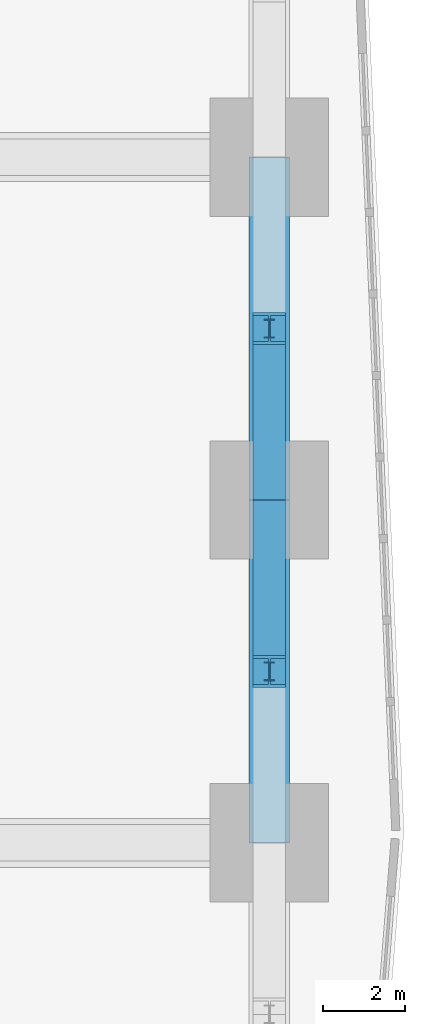
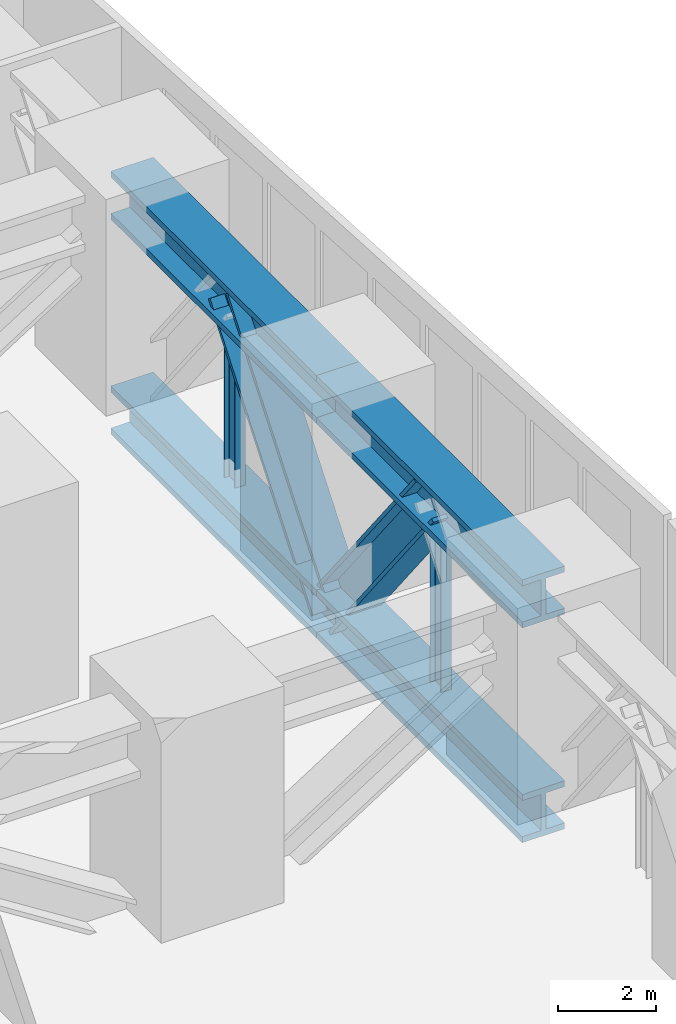
# One storey, part 5 of 16: 8 members.
"""IFC4 building model written with IfcOpenShell, lengths in metres."""

from ifc_helpers import new_model, si_unit, direction, frame, origin, origin_2d, place, context, subcontext, project, spatial, i_section, extrude, material, material_profile, profile_set, type_object, element, save


model = new_model("IFC4")

# Units and contexts
model_context = context("Model", 3, precision=1e-05, world=origin(), true_north=direction((0.0, 1.0)))
body_context = subcontext(model_context, "Body", "Model", "MODEL_VIEW")
ifc_project = project(units=[si_unit("LENGTHUNIT", "METRE"), si_unit("AREAUNIT", "SQUARE_METRE"), si_unit("VOLUMEUNIT", "CUBIC_METRE"), si_unit("PLANEANGLEUNIT", "RADIAN"), si_unit("MASSUNIT", "GRAM", prefix="KILO")], contexts=[model_context])

# Site, building, storey
site_placement = place(None, origin())
site = spatial("IfcSite", under=ifc_project, at=site_placement, CompositionType="ELEMENT")
building_placement = place(site_placement, origin())
building = spatial("IfcBuilding", under=site, at=building_placement, Name="Rekha Terrace Tower", CompositionType="ELEMENT")
storey_placement = place(building_placement, frame((0.0, 0.0, 85.39990234375)))
storey = spatial("IfcBuildingStorey", under=building, at=storey_placement, Name="L21", CompositionType="ELEMENT", Elevation=85.39990234375)

# Members
ifc_material = material(Name="Steel E350", Category="steel")
ifc_material_profile_1 = material_profile(ifc_material, i_section(OverallWidth=1.0, OverallDepth=1.199951171875, WebThickness=0.110107421875, FlangeThickness=0.14990234375, at=origin_2d()), Name="BU 1200x1000x110x150")
ifc_profile_set_1 = profile_set([ifc_material_profile_1], Name="Steel E350")
member_type_1 = type_object("IfcMemberType", Name="BC21 BU 1200x1000x110x150 belt truss chord", PredefinedType="CHORD", material=ifc_profile_set_1)
for number, where, z_axis, x_axis, name in (
    (1, (67.199951171875, 25.199951171875, 4.300048828125), (0.0, 1.0, 0.0), (-1.0, 0.0, 0.0), "Belt top chord 9D-9E L21"),
    (2, (67.199951171875, 25.199951171875, -1.0498046875), (0.0, 1.0, 0.0), (-1.0, 0.0, 0.0), "Belt bottom chord 9D-9E L21"),
):
    element("IfcMember", number, at=place(storey_placement, frame(where, z_axis=z_axis, x_axis=x_axis)), inside=storey, type_object=member_type_1, Name=name, PredefinedType="CHORD", context=body_context, shape_type="SweptSolid", body=[
        extrude(i_section(OverallWidth=1.0, OverallDepth=1.199951171875, WebThickness=0.110107421875, FlangeThickness=0.14990234375, at=origin_2d()), origin(), (0.0, 0.0, 1.0), 8.400146484375),
    ])
for number, where, z_axis, x_axis, name in (
    (3, (67.199951171875, 33.60009765625, 4.300048828125), (0.0, 1.0, 0.0), (-1.0, 0.0, 0.0), "Belt top chord 9E-9F L21"),
    (4, (67.199951171875, 33.60009765625, -1.0498046875), (0.0, 1.0, 0.0), (-1.0, 0.0, 0.0), "Belt bottom chord 9E-9F L21"),
):
    element("IfcMember", number, at=place(storey_placement, frame(where, z_axis=z_axis, x_axis=x_axis)), inside=storey, type_object=member_type_1, Name=name, PredefinedType="CHORD", context=body_context, shape_type="SweptSolid", body=[
        extrude(i_section(OverallWidth=1.0, OverallDepth=1.199951171875, WebThickness=0.110107421875, FlangeThickness=0.14990234375, at=origin_2d()), origin(), (0.0, 0.0, 1.0), 8.39990234375),
    ])
ifc_material_profile_2 = material_profile(ifc_material, i_section(OverallWidth=0.800048828125, OverallDepth=1.0, WebThickness=0.050048828125, FlangeThickness=0.090087890625, at=origin_2d()), Name="BU 1000x800x50x90")
ifc_profile_set_2 = profile_set([ifc_material_profile_2], Name="Steel E350")
member_type_2 = type_object("IfcMemberType", Name="BD21 BU 1000x800x50x90 belt truss diagonal", PredefinedType="BRACE", material=ifc_profile_set_2)
member_1_placement = place(storey_placement, frame((67.199951171875, 33.60009765625, -1.0498046875), z_axis=(0.0, -0.617525068892, 0.786551199408), x_axis=(1.0, 0.0, 0.0)))
element("IfcMember", 5, at=member_1_placement, inside=storey, type_object=member_type_2, Name="Belt diagonal 9D-9E L21", PredefinedType="BRACE", context=body_context, shape_type="SweptSolid", body=[
    extrude(i_section(OverallWidth=0.800048828125, OverallDepth=1.0, WebThickness=0.050048828125, FlangeThickness=0.090087890625, at=origin_2d()), origin(), (0.0, 0.0, 1.0), 6.8017578125),
])
member_2_placement = place(storey_placement, frame((67.199951171875, 33.60009765625, -1.0498046875), z_axis=(0.0, 0.617502861702, 0.786568633871), x_axis=(-1.0, 0.0, 0.0)))
element("IfcMember", 6, at=member_2_placement, inside=storey, type_object=member_type_2, Name="Belt diagonal 9E-9F L21", PredefinedType="BRACE", context=body_context, shape_type="SweptSolid", body=[
    extrude(i_section(OverallWidth=0.800048828125, OverallDepth=1.0, WebThickness=0.050048828125, FlangeThickness=0.090087890625, at=origin_2d()), origin(), (0.0, 0.0, 1.0), 6.801513671875),
])
ifc_material_profile_3 = material_profile(ifc_material, i_section(OverallWidth=0.25, OverallDepth=0.449951171875, WebThickness=0.01123046875, FlangeThickness=0.017333984375, FilletRadius=0.014892578125, at=origin_2d()), Name="ISHB 450")
ifc_profile_set_3 = profile_set([ifc_material_profile_3], Name="Steel E350")
member_type_3 = type_object("IfcMemberType", Name="BV21 ISHB 450 belt truss post", PredefinedType="POST", material=ifc_profile_set_3)
for number, where, z_axis, x_axis, name in (
    (7, (67.199951171875, 29.39990234375, -0.449951171875), (0.0, 0.0, 1.0), (1.0, 0.0, 0.0), "Belt post 9D-9E L21"),
    (8, (67.199951171875, 37.800048828125, -0.449951171875), (0.0, 0.0, 1.0), (1.0, 0.0, 0.0), "Belt post 9E-9F L21"),
):
    element("IfcMember", number, at=place(storey_placement, frame(where, z_axis=z_axis, x_axis=x_axis)), inside=storey, type_object=member_type_3, Name=name, PredefinedType="POST", context=body_context, shape_type="SweptSolid", body=[
        extrude(i_section(OverallWidth=0.25, OverallDepth=0.449951171875, WebThickness=0.01123046875, FlangeThickness=0.017333984375, FilletRadius=0.014892578125, at=origin_2d()), origin(), (0.0, 0.0, 1.0), 4.150146484375),
    ])

save(model, "model.ifc")
